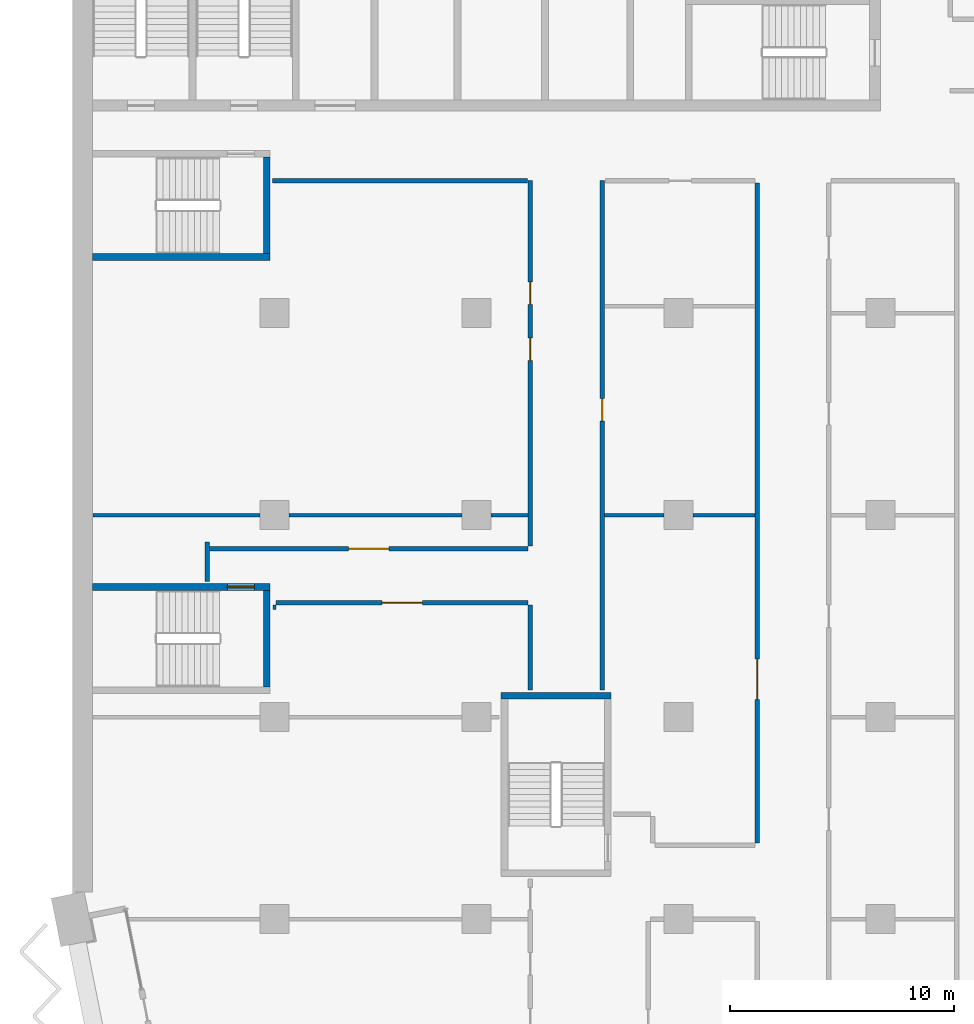
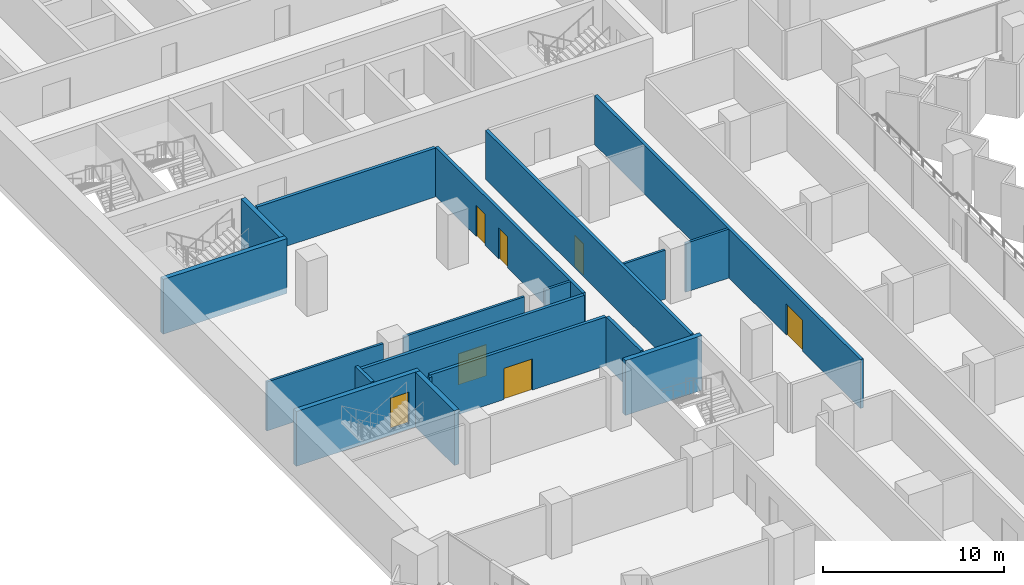
# One storey, part 10 of 23: 19 walls, 7 doors, 7 openings.
"""IFC4 building model written with IfcOpenShell, lengths in metres."""

from ifc_helpers import new_model, si_unit, direction, frame, frame_2d, origin, place, context, subcontext, project, spatial, rectangle, extrude, material, layer, layer_set, type_object, element, fill, save


model = new_model("IFC4")

# Units and contexts
model_context = context("Model", 3, precision=1e-05, world=origin(), true_north=direction((0.0, 1.0)))
body_context = subcontext(model_context, "Body", "Model", "MODEL_VIEW")
ifc_project = project(units=[si_unit("LENGTHUNIT", "METRE"), si_unit("AREAUNIT", "SQUARE_METRE"), si_unit("VOLUMEUNIT", "CUBIC_METRE"), si_unit("PLANEANGLEUNIT", "RADIAN"), si_unit("MASSUNIT", "GRAM", prefix="KILO")], contexts=[model_context])

# Site, building, storey
site_placement = place(None, origin())
site = spatial("IfcSite", under=ifc_project, at=site_placement, CompositionType="ELEMENT")
building_placement = place(site_placement, origin())
building = spatial("IfcBuilding", under=site, at=building_placement, Name="Hunhe Ridgeline Campus", CompositionType="ELEMENT")
storey_placement = place(building_placement, frame((0.0, 0.0, 121.800048828125)))
storey = spatial("IfcBuildingStorey", under=building, at=storey_placement, Name="L30", CompositionType="ELEMENT", Elevation=121.800048828125)

# Wall, opening, door
ifc_material_1 = material(Name="Gypsum board partition")
ifc_layer_1 = layer(ifc_material_1, 0.199951171875)
ifc_layer_set_1 = layer_set([ifc_layer_1], Name="Corridor partition 200 gypsum board on steel studs")
wall_type_1 = type_object("IfcWallType", Name="Corridor partition 200 gypsum board on steel studs", PredefinedType="PARTITIONING", material=ifc_layer_set_1)
wall_1_placement = place(storey_placement, frame((20.300048828125, 41.10009765625, 0.0), z_axis=(0.0, 0.0, 1.0), x_axis=(-1.0, 0.0, 0.0)))
wall_1 = element("IfcWall", 1, at=wall_1_placement, inside=storey, type_object=wall_type_1, Name="F-L30-wall-022", PredefinedType="PARTITIONING", context=body_context, shape_type="SweptSolid", body=[
    extrude(rectangle(XDim=11.22509765625, YDim=0.199951171875, at=frame_2d((5.612548828125, 0.0))), origin(), (0.0, 0.0, 1.0), 3.300048828125),
])
opening_1_placement = place(wall_1_placement, frame((4.71240234375, 0.0, 0.0)))
opening_1 = element("IfcOpeningElement", 2, at=opening_1_placement, cuts=wall_1, Name="Opening RD2-013", PredefinedType="OPENING", context=body_context, shape_type="SweptSolid", body=[
    extrude(rectangle(XDim=1.800048828125, YDim=2.10009765625, at=frame_2d((0.89990234375, 1.050048828125))), frame((0.0, 0.10009765625, 0.0), z_axis=(0.0, -1.0, 0.0), x_axis=(1.0, 0.0, 0.0)), (0.0, 0.0, 1.0), 0.199951171875),
])
ifc_material_2 = material(Name="Timber door leaf", Category="wood")
door_type_1 = type_object("IfcDoorType", Name="Double fire door 1800x2100 timber FD60", OperationType="DOUBLE_DOOR_SINGLE_SWING", PredefinedType="DOOR", material=ifc_material_2)
door_1_placement = place(opening_1_placement, origin())
door_1 = element("IfcDoor", 3, at=door_1_placement, inside=storey, type_object=door_type_1, Name="F-L30-door-013", OperationType="DOUBLE_DOOR_SINGLE_SWING", OverallHeight=2.10009765625, OverallWidth=1.800048828125, PredefinedType="DOOR", context=body_context, shape_type="SweptSolid", body=[
    extrude(rectangle(XDim=1.800048828125, YDim=2.10009765625, at=frame_2d((0.89990234375, 1.050048828125))), frame((0.0, 0.02490234375, 0.0), z_axis=(0.0, -1.0, 0.0), x_axis=(1.0, 0.0, 0.0)), (0.0, 0.0, 1.0), 0.050048828125),
])
fill(opening_1, door_1)

wall_2_placement = place(storey_placement, frame((6.10009765625, 43.5, 0.0), z_axis=(0.0, 0.0, 1.0), x_axis=(1.0, 0.0, 0.0)))
wall_2 = element("IfcWall", 4, at=wall_2_placement, inside=storey, type_object=wall_type_1, Name="F-L30-wall-023", PredefinedType="PARTITIONING", context=body_context, shape_type="SweptSolid", body=[
    extrude(rectangle(XDim=14.199951171875, YDim=0.199951171875, at=frame_2d((7.10009765625, 0.0))), origin(), (0.0, 0.0, 1.0), 3.300048828125),
])
opening_2_placement = place(wall_2_placement, frame((6.199951171875, 0.0, 0.0)))
opening_2 = element("IfcOpeningElement", 5, at=opening_2_placement, cuts=wall_2, Name="Opening RD2-014", PredefinedType="OPENING", context=body_context, shape_type="SweptSolid", body=[
    extrude(rectangle(XDim=1.800048828125, YDim=2.10009765625, at=frame_2d((0.89990234375, 1.050048828125))), frame((0.0, 0.10009765625, 0.0), z_axis=(0.0, -1.0, 0.0), x_axis=(1.0, 0.0, 0.0)), (0.0, 0.0, 1.0), 0.199951171875),
])
door_2_placement = place(opening_2_placement, origin())
door_2 = element("IfcDoor", 6, at=door_2_placement, inside=storey, type_object=door_type_1, Name="F-L30-door-014", OperationType="DOUBLE_DOOR_SINGLE_SWING", OverallHeight=2.10009765625, OverallWidth=1.800048828125, PredefinedType="DOOR", context=body_context, shape_type="SweptSolid", body=[
    extrude(rectangle(XDim=1.800048828125, YDim=2.10009765625, at=frame_2d((0.89990234375, 1.050048828125))), frame((0.0, 0.02490234375, 0.0), z_axis=(0.0, -1.0, 0.0), x_axis=(1.0, 0.0, 0.0)), (0.0, 0.0, 1.0), 0.050048828125),
])
fill(opening_2, door_2)

# Walls
wall_3_placement = place(storey_placement, frame((20.276611328125, 59.89990234375, 0.0), z_axis=(0.0, 0.0, 1.0), x_axis=(-1.0, 0.0, 0.0)))
element("IfcWall", 7, at=wall_3_placement, inside=storey, type_object=wall_type_1, Name="F-L30-wall-035", PredefinedType="PARTITIONING", context=body_context, shape_type="SweptSolid", body=[
    extrude(rectangle(XDim=11.37255859375, YDim=0.199951171875, at=frame_2d((5.686279296875, 0.0))), origin(), (0.0, 0.0, 1.0), 3.300048828125),
])
wall_4_placement = place(storey_placement, frame((6.0, 42.053955078125, 0.0), z_axis=(0.0, 0.0, 1.0), x_axis=(0.0, 1.0, 0.0)))
element("IfcWall", 8, at=wall_4_placement, inside=storey, type_object=wall_type_1, Name="F-L30-wall-053", PredefinedType="PARTITIONING", context=body_context, shape_type="SweptSolid", body=[
    extrude(rectangle(XDim=1.74609375, YDim=0.199951171875, at=frame_2d((0.873046875, 0.0))), origin(), (0.0, 0.0, 1.0), 3.300048828125),
])
wall_5_placement = place(storey_placement, frame((20.39990234375, 37.2041015625, 0.0), z_axis=(0.0, 0.0, 1.0), x_axis=(0.0, 1.0, 0.0)))
element("IfcWall", 9, at=wall_5_placement, inside=storey, type_object=wall_type_1, Name="F-L30-wall-056", PredefinedType="PARTITIONING", context=body_context, shape_type="SweptSolid", body=[
    extrude(rectangle(XDim=3.7958984375, YDim=0.199951171875, at=frame_2d((1.89794921875, 0.0))), origin(), (0.0, 0.0, 1.0), 3.300048828125),
])

# Wall, openings, doors
wall_6_placement = place(storey_placement, frame((20.39990234375, 43.6181640625, 0.0), z_axis=(0.0, 0.0, 1.0), x_axis=(0.0, 1.0, 0.0)))
wall_6 = element("IfcWall", 10, at=wall_6_placement, inside=storey, type_object=wall_type_1, Name="F-L30-wall-057", PredefinedType="PARTITIONING", context=body_context, shape_type="SweptSolid", body=[
    extrude(rectangle(XDim=16.28173828125, YDim=0.199951171875, at=frame_2d((8.140869140625, 0.0))), origin(), (0.0, 0.0, 1.0), 3.300048828125),
])
opening_3_placement = place(wall_6_placement, frame((8.26708984375, 0.0, 0.0)))
opening_3 = element("IfcOpeningElement", 11, at=opening_3_placement, cuts=wall_6, Name="Opening RD1-017", PredefinedType="OPENING", context=body_context, shape_type="SweptSolid", body=[
    extrude(rectangle(XDim=1.0, YDim=2.10009765625, at=frame_2d((0.5, 1.050048828125))), frame((0.0, 0.10009765625, 0.0), z_axis=(0.0, -1.0, 0.0), x_axis=(1.0, 0.0, 0.0)), (0.0, 0.0, 1.0), 0.199951171875),
])
opening_4_placement = place(wall_6_placement, frame((10.76708984375, 0.0, 0.0)))
opening_4 = element("IfcOpeningElement", 12, at=opening_4_placement, cuts=wall_6, Name="Opening RD1-018", PredefinedType="OPENING", context=body_context, shape_type="SweptSolid", body=[
    extrude(rectangle(XDim=1.0, YDim=2.10009765625, at=frame_2d((0.5, 1.050048828125))), frame((0.0, 0.10009765625, 0.0), z_axis=(0.0, -1.0, 0.0), x_axis=(1.0, 0.0, 0.0)), (0.0, 0.0, 1.0), 0.199951171875),
])
door_type_2 = type_object("IfcDoorType", Name="Single fire door 1000x2100 timber FD60", OperationType="NOTDEFINED", PredefinedType="DOOR", material=ifc_material_2)
door_3_placement = place(opening_3_placement, frame((1.0, 0.0, 0.0), z_axis=(0.0, 0.0, 1.0), x_axis=(-1.0, 0.0, 0.0)))
door_3 = element("IfcDoor", 13, at=door_3_placement, inside=storey, type_object=door_type_2, Name="F-L30-door-017", OperationType="SINGLE_SWING_LEFT", OverallHeight=2.10009765625, OverallWidth=1.0, PredefinedType="DOOR", context=body_context, shape_type="SweptSolid", body=[
    extrude(rectangle(XDim=1.0, YDim=2.10009765625, at=frame_2d((0.5, 1.050048828125))), frame((0.0, 0.02490234375, 0.0), z_axis=(0.0, -1.0, 0.0), x_axis=(1.0, 0.0, 0.0)), (0.0, 0.0, 1.0), 0.050048828125),
])
fill(opening_3, door_3)
door_4_placement = place(opening_4_placement, frame((1.0, 0.0, 0.0), z_axis=(0.0, 0.0, 1.0), x_axis=(-1.0, 0.0, 0.0)))
door_4 = element("IfcDoor", 14, at=door_4_placement, inside=storey, type_object=door_type_2, Name="F-L30-door-018", OperationType="SINGLE_SWING_LEFT", OverallHeight=2.10009765625, OverallWidth=1.0, PredefinedType="DOOR", context=body_context, shape_type="SweptSolid", body=[
    extrude(rectangle(XDim=1.0, YDim=2.10009765625, at=frame_2d((0.5, 1.050048828125))), frame((0.0, 0.02490234375, 0.0), z_axis=(0.0, -1.0, 0.0), x_axis=(1.0, 0.0, 0.0)), (0.0, 0.0, 1.0), 0.050048828125),
])
fill(opening_4, door_4)

# Wall, opening, door
wall_7_placement = place(storey_placement, frame((23.60009765625, 59.89990234375, 0.0), z_axis=(0.0, 0.0, 1.0), x_axis=(0.0, -1.0, 0.0)))
wall_7 = element("IfcWall", 15, at=wall_7_placement, inside=storey, type_object=wall_type_1, Name="F-L30-wall-058", PredefinedType="PARTITIONING", context=body_context, shape_type="SweptSolid", body=[
    extrude(rectangle(XDim=22.69580078125, YDim=0.199951171875, at=frame_2d((11.347900390625, 0.0))), origin(), (0.0, 0.0, 1.0), 3.300048828125),
])
opening_5_placement = place(wall_7_placement, frame((9.713134765625, 0.0, 0.0)))
opening_5 = element("IfcOpeningElement", 16, at=opening_5_placement, cuts=wall_7, Name="Opening RD1-016", PredefinedType="OPENING", context=body_context, shape_type="SweptSolid", body=[
    extrude(rectangle(XDim=1.0, YDim=2.10009765625, at=frame_2d((0.5, 1.050048828125))), frame((0.0, 0.10009765625, 0.0), z_axis=(0.0, -1.0, 0.0), x_axis=(1.0, 0.0, 0.0)), (0.0, 0.0, 1.0), 0.199951171875),
])
door_5_placement = place(opening_5_placement, origin())
door_5 = element("IfcDoor", 17, at=door_5_placement, inside=storey, type_object=door_type_2, Name="F-L30-door-016", OperationType="SINGLE_SWING_LEFT", OverallHeight=2.10009765625, OverallWidth=1.0, PredefinedType="DOOR", context=body_context, shape_type="SweptSolid", body=[
    extrude(rectangle(XDim=1.0, YDim=2.10009765625, at=frame_2d((0.5, 1.050048828125))), frame((0.0, 0.02490234375, 0.0), z_axis=(0.0, -1.0, 0.0), x_axis=(1.0, 0.0, 0.0)), (0.0, 0.0, 1.0), 0.050048828125),
])
fill(opening_5, door_5)

wall_8_placement = place(storey_placement, frame((30.5, 30.39892578125, 0.0), z_axis=(0.0, 0.0, 1.0), x_axis=(0.0, 1.0, 0.0)))
wall_8 = element("IfcWall", 18, at=wall_8_placement, inside=storey, type_object=wall_type_1, Name="F-L30-wall-062", PredefinedType="PARTITIONING", context=body_context, shape_type="SweptSolid", body=[
    extrude(rectangle(XDim=29.401123046875, YDim=0.199951171875, at=frame_2d((14.70068359375, 0.0))), origin(), (0.0, 0.0, 1.0), 3.300048828125),
])
opening_6_placement = place(wall_8_placement, frame((6.387451171875, 0.0, 0.0)))
opening_6 = element("IfcOpeningElement", 19, at=opening_6_placement, cuts=wall_8, Name="Opening RD2-011", PredefinedType="OPENING", context=body_context, shape_type="SweptSolid", body=[
    extrude(rectangle(XDim=1.800048828125, YDim=2.10009765625, at=frame_2d((0.89990234375, 1.050048828125))), frame((0.0, 0.10009765625, 0.0), z_axis=(0.0, -1.0, 0.0), x_axis=(1.0, 0.0, 0.0)), (0.0, 0.0, 1.0), 0.199951171875),
])
door_6_placement = place(opening_6_placement, origin())
door_6 = element("IfcDoor", 20, at=door_6_placement, inside=storey, type_object=door_type_1, Name="F-L30-door-011", OperationType="DOUBLE_DOOR_SINGLE_SWING", OverallHeight=2.10009765625, OverallWidth=1.800048828125, PredefinedType="DOOR", context=body_context, shape_type="SweptSolid", body=[
    extrude(rectangle(XDim=1.800048828125, YDim=2.10009765625, at=frame_2d((0.89990234375, 1.050048828125))), frame((0.0, 0.02490234375, 0.0), z_axis=(0.0, -1.0, 0.0), x_axis=(1.0, 0.0, 0.0)), (0.0, 0.0, 1.0), 0.050048828125),
])
fill(opening_6, door_6)

# Walls
ifc_layer_2 = layer(ifc_material_1, 0.14990234375)
ifc_layer_set_2 = layer_set([ifc_layer_2], Name="Room partition 150 gypsum board on steel studs")
wall_type_2 = type_object("IfcWallType", Name="Room partition 150 gypsum board on steel studs", PredefinedType="PARTITIONING", material=ifc_layer_set_2)
wall_9_placement = place(storey_placement, frame((0.919921875, 45.0, 0.0), z_axis=(0.0, 0.0, 1.0), x_axis=(1.0, 0.0, 0.0)))
element("IfcWall", 21, at=wall_9_placement, inside=storey, type_object=wall_type_2, Name="F-L30-wall-024", PredefinedType="PARTITIONING", context=body_context, shape_type="SweptSolid", body=[
    extrude(rectangle(XDim=7.43017578125, YDim=0.14990234375, at=frame_2d((3.715087890625, 0.0))), origin(), (0.0, 0.0, 1.0), 3.300048828125),
])
wall_10_placement = place(storey_placement, frame((9.64990234375, 45.0, 0.0), z_axis=(0.0, 0.0, 1.0), x_axis=(1.0, 0.0, 0.0)))
element("IfcWall", 22, at=wall_10_placement, inside=storey, type_object=wall_type_2, Name="F-L30-wall-025", PredefinedType="PARTITIONING", context=body_context, shape_type="SweptSolid", body=[
    extrude(rectangle(XDim=7.7001953125, YDim=0.14990234375, at=frame_2d((3.85009765625, 0.0))), origin(), (0.0, 0.0, 1.0), 3.300048828125),
])
wall_11_placement = place(storey_placement, frame((18.64990234375, 45.0, 0.0), z_axis=(0.0, 0.0, 1.0), x_axis=(1.0, 0.0, 0.0)))
element("IfcWall", 23, at=wall_11_placement, inside=storey, type_object=wall_type_2, Name="F-L30-wall-026", PredefinedType="PARTITIONING", context=body_context, shape_type="SweptSolid", body=[
    extrude(rectangle(XDim=1.650146484375, YDim=0.14990234375, at=frame_2d((0.8251953125, 0.0))), origin(), (0.0, 0.0, 1.0), 3.300048828125),
])
wall_12_placement = place(storey_placement, frame((23.699951171875, 45.0, 0.0), z_axis=(0.0, 0.0, 1.0), x_axis=(1.0, 0.0, 0.0)))
element("IfcWall", 24, at=wall_12_placement, inside=storey, type_object=wall_type_2, Name="F-L30-wall-027", PredefinedType="PARTITIONING", context=body_context, shape_type="SweptSolid", body=[
    extrude(rectangle(XDim=2.650146484375, YDim=0.14990234375, at=frame_2d((1.3251953125, 0.0))), origin(), (0.0, 0.0, 1.0), 3.300048828125),
])
wall_13_placement = place(storey_placement, frame((27.64990234375, 45.0, 0.0), z_axis=(0.0, 0.0, 1.0), x_axis=(1.0, 0.0, 0.0)))
element("IfcWall", 25, at=wall_13_placement, inside=storey, type_object=wall_type_2, Name="F-L30-wall-028", PredefinedType="PARTITIONING", context=body_context, shape_type="SweptSolid", body=[
    extrude(rectangle(XDim=2.75, YDim=0.14990234375, at=frame_2d((1.375, 0.0))), origin(), (0.0, 0.0, 1.0), 3.300048828125),
])
wall_14_placement = place(storey_placement, frame((9.0, 41.0, 0.0), z_axis=(0.0, 0.0, 1.0), x_axis=(0.0, -1.0, 0.0)))
element("IfcWall", 26, at=wall_14_placement, inside=storey, type_object=wall_type_2, Name="F-L30-wall-054", PredefinedType="PARTITIONING", context=body_context, shape_type="SweptSolid", body=[
    extrude(rectangle(XDim=0.199951171875, YDim=0.14990234375, at=frame_2d((0.10009765625, 0.0))), origin(), (0.0, 0.0, 1.0), 3.300048828125),
])
ifc_material_3 = material(Name="Concrete C80", Category="concrete")
ifc_layer_3 = layer(ifc_material_3, 0.300048828125)
ifc_layer_set_3 = layer_set([ifc_layer_3], Name="Stair wall 300 reinforced concrete C80")
wall_type_3 = type_object("IfcWallType", Name="Stair wall 300 reinforced concrete C80", PredefinedType="SOLIDWALL", material=ifc_layer_set_3)
wall_15_placement = place(storey_placement, frame((19.10009765625, 36.949951171875, -0.400146484375), z_axis=(0.0, 0.0, 1.0), x_axis=(1.0, 0.0, 0.0)))
element("IfcWall", 27, at=wall_15_placement, inside=storey, type_object=wall_type_3, Name="L30 core wall 2", PredefinedType="SOLIDWALL", context=body_context, shape_type="SweptSolid", body=[
    extrude(rectangle(XDim=4.89990234375, YDim=0.300048828125, at=frame_2d((2.449951171875, 0.0))), origin(), (0.0, 0.0, 1.0), 3.7001953125),
])

# Wall, opening, door
wall_16_placement = place(storey_placement, frame((0.89990234375, 41.800048828125, -0.400146484375), z_axis=(0.0, 0.0, 1.0), x_axis=(1.0, 0.0, 0.0)))
wall_16 = element("IfcWall", 28, at=wall_16_placement, inside=storey, type_object=wall_type_3, Name="L30 core wall 4", PredefinedType="SOLIDWALL", context=body_context, shape_type="SweptSolid", body=[
    extrude(rectangle(XDim=7.900146484375, YDim=0.300048828125, at=frame_2d((3.9501953125, 0.0))), origin(), (0.0, 0.0, 1.0), 3.7001953125),
])
opening_7_placement = place(wall_16_placement, frame((6.0, 0.0, 0.39990234375)))
opening_7 = element("IfcOpeningElement", 29, at=opening_7_placement, cuts=wall_16, Name="Opening CD21", PredefinedType="OPENING", context=body_context, shape_type="SweptSolid", body=[
    extrude(rectangle(XDim=1.199951171875, YDim=2.10009765625, at=frame_2d((0.60009765625, 1.050048828125))), frame((0.0, 0.14990234375, 0.0), z_axis=(0.0, -1.0, 0.0), x_axis=(1.0, 0.0, 0.0)), (0.0, 0.0, 1.0), 0.300048828125),
])
ifc_material_4 = material(Name="Hollow metal fire door leaf")
door_type_3 = type_object("IfcDoorType", Name="Stair door 1200x2100 FD60", OperationType="SINGLE_SWING_LEFT", PredefinedType="DOOR", material=ifc_material_4)
door_7_placement = place(opening_7_placement, origin())
door_7 = element("IfcDoor", 30, at=door_7_placement, inside=storey, type_object=door_type_3, Name="L30 door W1", OperationType="SINGLE_SWING_RIGHT", OverallHeight=2.10009765625, OverallWidth=1.199951171875, PredefinedType="DOOR", context=body_context, shape_type="SweptSolid", body=[
    extrude(rectangle(XDim=1.199951171875, YDim=2.10009765625, at=frame_2d((0.60009765625, 1.050048828125))), frame((0.0, 0.02490234375, 0.0), z_axis=(0.0, -1.0, 0.0), x_axis=(1.0, 0.0, 0.0)), (0.0, 0.0, 1.0), 0.050048828125),
])
fill(opening_7, door_7)

# Walls
wall_17_placement = place(storey_placement, frame((0.89990234375, 56.5, -0.400146484375), z_axis=(0.0, 0.0, 1.0), x_axis=(1.0, 0.0, 0.0)))
element("IfcWall", 31, at=wall_17_placement, inside=storey, type_object=wall_type_3, Name="L30 core wall 5", PredefinedType="SOLIDWALL", context=body_context, shape_type="SweptSolid", body=[
    extrude(rectangle(XDim=7.900146484375, YDim=0.300048828125, at=frame_2d((3.9501953125, 0.0))), origin(), (0.0, 0.0, 1.0), 3.7001953125),
])
wall_18_placement = place(storey_placement, frame((8.64990234375, 37.35009765625, -0.400146484375), z_axis=(0.0, 0.0, 1.0), x_axis=(0.0, 1.0, 0.0)))
element("IfcWall", 32, at=wall_18_placement, inside=storey, type_object=wall_type_3, Name="L30 core wall 36", PredefinedType="SOLIDWALL", context=body_context, shape_type="SweptSolid", body=[
    extrude(rectangle(XDim=4.2998046875, YDim=0.300048828125, at=frame_2d((2.14990234375, 0.0))), origin(), (0.0, 0.0, 1.0), 3.7001953125),
])
wall_19_placement = place(storey_placement, frame((8.64990234375, 56.64990234375, -0.400146484375), z_axis=(0.0, 0.0, 1.0), x_axis=(0.0, 1.0, 0.0)))
element("IfcWall", 33, at=wall_19_placement, inside=storey, type_object=wall_type_3, Name="L30 core wall 37", PredefinedType="SOLIDWALL", context=body_context, shape_type="SweptSolid", body=[
    extrude(rectangle(XDim=4.300048828125, YDim=0.300048828125, at=frame_2d((2.14990234375, 0.0))), origin(), (0.0, 0.0, 1.0), 3.7001953125),
])

save(model, "model.ifc")
